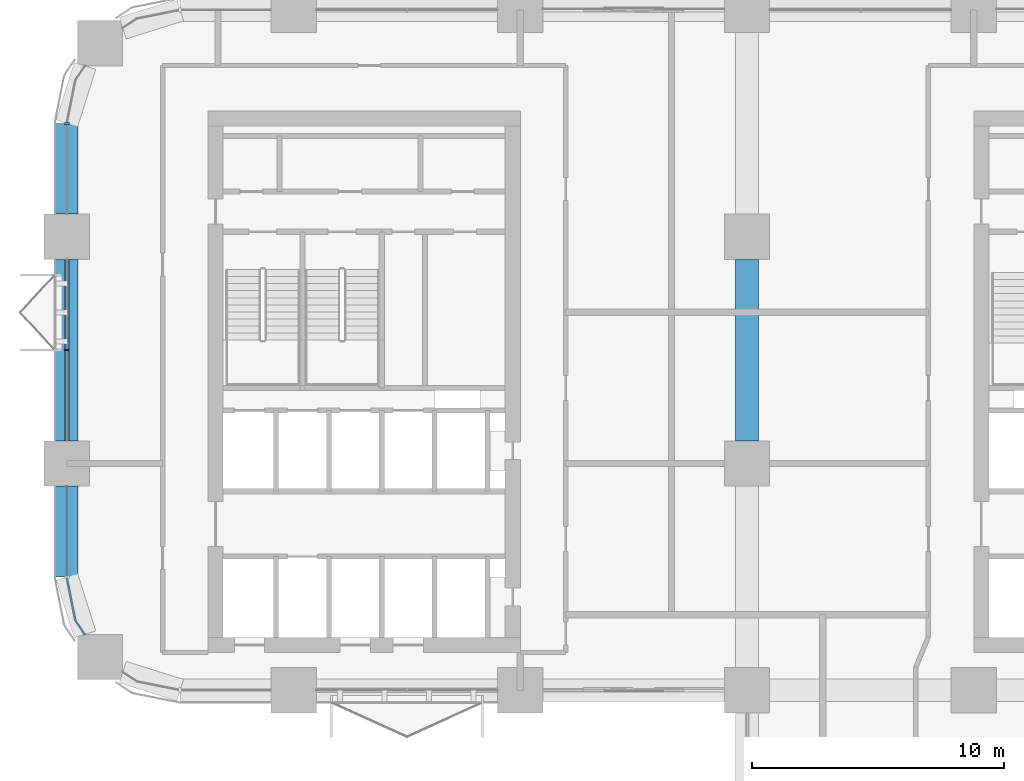
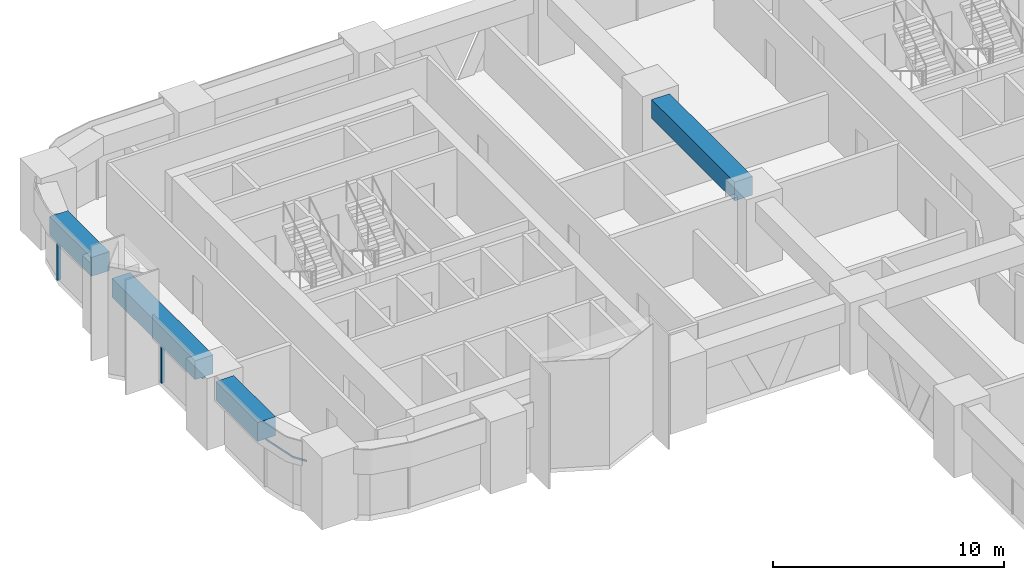
# One storey, part 6 of 18: 4 beams, 4 members, 3 elements without a shape of their own.
"""IFC4 building model written with IfcOpenShell, lengths in metres."""

from ifc_helpers import new_model, si_unit, direction, frame, origin, origin_2d, place, context, subcontext, project, spatial, polyline, rectangle, outline, extrude, material, material_profile, profile_set, type_object, element, aggregate, save


model = new_model("IFC4")

# Units and contexts
model_context = context("Model", 3, precision=1e-05, world=origin(), true_north=direction((0.0, 1.0)))
body_context = subcontext(model_context, "Body", "Model", "MODEL_VIEW")
ifc_project = project(units=[si_unit("LENGTHUNIT", "METRE"), si_unit("AREAUNIT", "SQUARE_METRE"), si_unit("VOLUMEUNIT", "CUBIC_METRE"), si_unit("PLANEANGLEUNIT", "RADIAN"), si_unit("MASSUNIT", "GRAM", prefix="KILO")], contexts=[model_context])

# Site, building, storey
site_placement = place(None, origin())
site = spatial("IfcSite", under=ifc_project, at=site_placement, CompositionType="ELEMENT")
building_placement = place(site_placement, origin())
building = spatial("IfcBuilding", under=site, at=building_placement, Name="Tessera Arch", CompositionType="ELEMENT")
storey_placement = place(building_placement, frame((0.0, 0.0, 115.800048828125)))
storey = spatial("IfcBuildingStorey", under=building, at=storey_placement, Name="L27", CompositionType="ELEMENT", Elevation=115.800048828125)

# Curtain wall, members
ifc_material_1 = material(Name="CW1 curtain wall")
curtain_wall_type_1 = type_object("IfcCurtainWallType", Name="CW1 curtain wall", PredefinedType="NOTDEFINED", material=ifc_material_1)
curtain_wall_1_placement = place(storey_placement, origin())
curtain_wall_1 = element("IfcCurtainWall", 1, at=curtain_wall_1_placement, inside=storey, type_object=curtain_wall_type_1, Name="CW1 curtain wall W0.27/1 L27", PredefinedType="NOTDEFINED")
ifc_material_2 = material(Name="Anodised aluminium pale metal", Category="aluminium")
ifc_material_profile_1 = material_profile(ifc_material_2, rectangle(XDim=0.159912109375, YDim=0.06005859375, at=origin_2d()), Name="AL 60x160")
ifc_profile_set_1 = profile_set([ifc_material_profile_1], Name="Anodised aluminium pale metal")
member_type_1 = type_object("IfcMemberType", Name="CW1 mullion", PredefinedType="MULLION", material=ifc_profile_set_1)
member_1_placement = place(storey_placement, frame((0.0, 40.5, 0.0), z_axis=(0.0, 0.0, 1.0), x_axis=(1.0, 0.0, 0.0)))
member_1 = element("IfcMember", 2, at=member_1_placement, type_object=member_type_1, Name="CW1 mullion W0.27/1 1", PredefinedType="MULLION", context=body_context, shape_type="SweptSolid", body=[
    extrude(rectangle(XDim=0.159912109375, YDim=0.06005859375, at=origin_2d()), origin(), (0.0, 0.0, 1.0), 2.39990234375),
])
ifc_material_3 = material(Name="Anodised aluminium pale metal", Category="aluminium")
ifc_material_profile_2 = material_profile(ifc_material_3, rectangle(XDim=0.159912109375, YDim=0.10009765625, at=origin_2d()), Name="AL 160x100")
ifc_profile_set_2 = profile_set([ifc_material_profile_2], Name="Anodised aluminium pale metal")
member_type_2 = type_object("IfcMemberType", Name="CW1 transom", PredefinedType="USERDEFINED", material=ifc_profile_set_2)
member_2_placement = place(storey_placement, frame((0.0, 44.10009765625, 2.449951171875), z_axis=(0.0, -1.0, 0.0), x_axis=(1.0, 0.0, 0.0)))
member_2 = element("IfcMember", 3, at=member_2_placement, type_object=member_type_2, Name="CW1 transom W0.27/1 1.1", ObjectType="TRANSOM", PredefinedType="USERDEFINED", context=body_context, shape_type="SweptSolid", body=[
    extrude(rectangle(XDim=0.159912109375, YDim=0.10009765625, at=origin_2d()), origin(), (0.0, 0.0, 1.0), 7.2001953125),
])
aggregate(curtain_wall_1, [member_1, member_2])

# Curtain wall, member
ifc_material_4 = material(Name="CW2 curtain wall")
curtain_wall_type_2 = type_object("IfcCurtainWallType", Name="CW2 curtain wall", PredefinedType="NOTDEFINED", material=ifc_material_4)
curtain_wall_2_placement = place(storey_placement, origin())
curtain_wall_2 = element("IfcCurtainWall", 4, at=curtain_wall_2_placement, inside=storey, type_object=curtain_wall_type_2, Name="CW2 curtain wall W0.27/0 L27", PredefinedType="NOTDEFINED")
ifc_material_5 = material(Name="Anodised aluminium pale metal", Category="aluminium")
ifc_material_profile_3 = material_profile(ifc_material_5, rectangle(XDim=0.199951171875, YDim=0.080078125, at=origin_2d()), Name="AL 80x200")
ifc_profile_set_3 = profile_set([ifc_material_profile_3], Name="Anodised aluminium pale metal")
member_type_3 = type_object("IfcMemberType", Name="CW2 mullion", PredefinedType="MULLION", material=ifc_profile_set_3)
member_3_placement = place(storey_placement, frame((0.0, 49.5, 0.0), z_axis=(0.0, 0.0, 1.0), x_axis=(1.0, 0.0, 0.0)))
member_3 = element("IfcMember", 5, at=member_3_placement, type_object=member_type_3, Name="CW2 mullion W0.27/0 1", PredefinedType="MULLION", context=body_context, shape_type="SweptSolid", body=[
    extrude(rectangle(XDim=0.199951171875, YDim=0.080078125, at=origin_2d()), origin(), (0.0, 0.0, 1.0), 2.39990234375),
])
aggregate(curtain_wall_2, [member_3])

curtain_wall_3_placement = place(storey_placement, origin())
curtain_wall_3 = element("IfcCurtainWall", 6, at=curtain_wall_3_placement, inside=storey, type_object=curtain_wall_type_2, Name="CW2 curtain wall W0.27/2 L27", PredefinedType="NOTDEFINED")
ifc_material_6 = material(Name="Anodised aluminium pale metal", Category="aluminium")
ifc_material_profile_4 = material_profile(ifc_material_6, rectangle(XDim=0.199951171875, YDim=0.10009765625, at=origin_2d()), Name="AL 200x100")
ifc_profile_set_4 = profile_set([ifc_material_profile_4], Name="Anodised aluminium pale metal")
member_type_4 = type_object("IfcMemberType", Name="CW2 transom", PredefinedType="USERDEFINED", material=ifc_profile_set_4)
member_4_placement = place(storey_placement, frame((0.0, 0.0, 2.39990234375)))
member_4 = element("IfcMember", 7, at=member_4_placement, type_object=member_type_4, Name="CW2 transom W0.27/2 1", ObjectType="TRANSOM", PredefinedType="USERDEFINED", context=body_context, shape_type="SweptSolid", body=[
    extrude(outline(polyline([(0.010009765625, 31.5009765625), (0.010009765625, 35.10009765625), (-0.010009765625, 35.10009765625), (-0.010009765625, 31.4990234375), (0.3330078125, 29.77392578125), (0.70849609375, 29.21240234375), (0.72509765625, 29.2236328125), (0.351806640625, 29.78173828125), (0.010009765625, 31.5009765625)])), origin(), (0.0, 0.0, 1.0), 0.10009765625),
])
aggregate(curtain_wall_3, [member_4])

# Beams
ifc_material_7 = material(Name="Concrete C80/95", Category="concrete")
ifc_material_profile_5 = material_profile(ifc_material_7, rectangle(XDim=0.89990234375, YDim=1.0, at=origin_2d()), Name="RC spandrel beam 900 x 1000 Concrete C80/95")
ifc_profile_set_5 = profile_set([ifc_material_profile_5], Name="Concrete C80/95")
beam_type = type_object("IfcBeamType", Name="RC spandrel beam 900 x 1000 Concrete C80/95", PredefinedType="BEAM", material=ifc_profile_set_5)
beam_1_placement = place(storey_placement, frame((0.0, 49.5, 3.0), z_axis=(0.0, -1.0, 0.0), x_axis=(1.0, 0.0, 0.0)))
element("IfcBeam", 8, at=beam_1_placement, inside=storey, type_object=beam_type, Name="Spandrel beam L27 W0.27/0.2", PredefinedType="BEAM", context=body_context, shape_type="SweptSolid", body=[
    extrude(rectangle(XDim=0.89990234375, YDim=1.0, at=origin_2d()), origin(), (0.0, 0.0, 1.0), 3.60009765625),
])
beam_2_placement = place(storey_placement, frame((0.0, 44.10009765625, 3.0), z_axis=(0.0, -1.0, 0.0), x_axis=(1.0, 0.0, 0.0)))
element("IfcBeam", 9, at=beam_2_placement, inside=storey, type_object=beam_type, Name="Spandrel beam L27 W0.27/1", PredefinedType="BEAM", context=body_context, shape_type="SweptSolid", body=[
    extrude(rectangle(XDim=0.89990234375, YDim=1.0, at=origin_2d()), origin(), (0.0, 0.0, 1.0), 7.2001953125),
])
beam_3_placement = place(storey_placement, frame((0.0, 35.10009765625, 3.0), z_axis=(0.0, -1.0, 0.0), x_axis=(1.0, 0.0, 0.0)))
element("IfcBeam", 10, at=beam_3_placement, inside=storey, type_object=beam_type, Name="Spandrel beam L27 W0.27/2.1", PredefinedType="BEAM", context=body_context, shape_type="SweptSolid", body=[
    extrude(rectangle(XDim=0.89990234375, YDim=1.0, at=origin_2d()), origin(), (0.0, 0.0, 1.0), 3.60009765625),
])
beam_4_placement = place(storey_placement, frame((27.0, 36.89990234375, 3.0), z_axis=(0.0, 1.0, 0.0), x_axis=(-1.0, 0.0, 0.0)))
element("IfcBeam", 11, at=beam_4_placement, inside=storey, type_object=beam_type, Name="Interface beam L27 I0C4E-C4F", PredefinedType="BEAM", context=body_context, shape_type="SweptSolid", body=[
    extrude(rectangle(XDim=0.89990234375, YDim=1.0, at=origin_2d()), origin(), (0.0, 0.0, 1.0), 7.2001953125),
])

save(model, "model.ifc")
